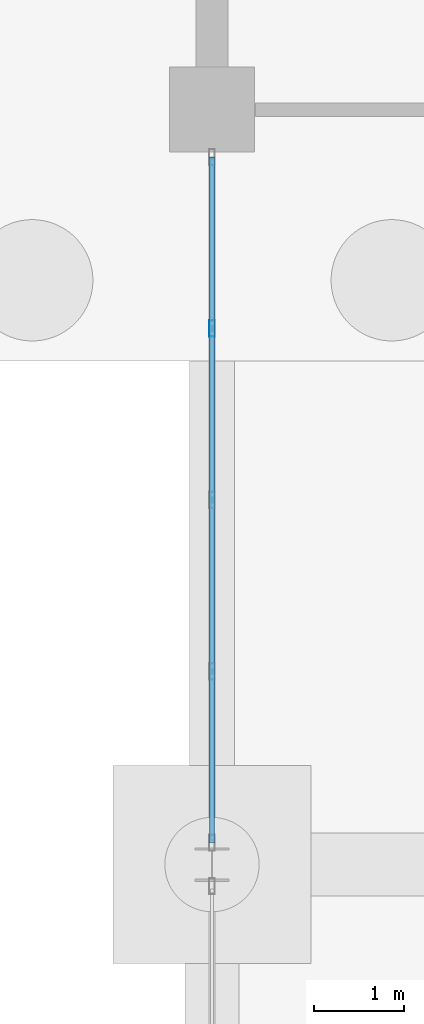
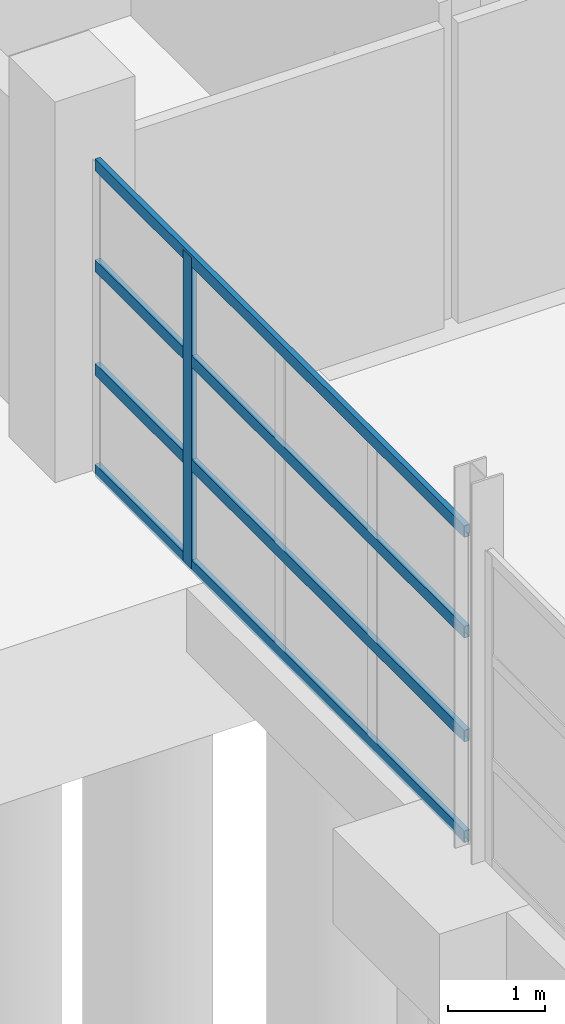
# One storey, part 22 of 82: 5 members, 1 element without a shape of its own.
"""IFC4 building model written with IfcOpenShell, lengths in metres."""

from ifc_helpers import new_model, si_unit, direction, frame, origin, origin_2d, place, context, subcontext, project, spatial, hollow_rectangle, extrude, material, material_profile, profile_set, type_object, element, aggregate, save


model = new_model("IFC4")

# Units and contexts
model_context = context("Model", 3, precision=1e-05, world=origin(), true_north=direction((0.0, 1.0)))
body_context = subcontext(model_context, "Body", "Model", "MODEL_VIEW")
ifc_project = project(units=[si_unit("LENGTHUNIT", "METRE"), si_unit("AREAUNIT", "SQUARE_METRE"), si_unit("VOLUMEUNIT", "CUBIC_METRE"), si_unit("PLANEANGLEUNIT", "RADIAN"), si_unit("MASSUNIT", "GRAM", prefix="KILO")], contexts=[model_context])

# Site, building, storey
site_placement = place(None, origin())
site = spatial("IfcSite", under=ifc_project, at=site_placement, CompositionType="ELEMENT")
building_placement = place(site_placement, origin())
building = spatial("IfcBuilding", under=site, at=building_placement, Name="Kelmvaro Bay Concert Hall", CompositionType="ELEMENT")
storey_placement = place(building_placement, origin())
storey = spatial("IfcBuildingStorey", under=building, at=storey_placement, Name="L00", CompositionType="ELEMENT", Elevation=0.0)

# Curtain wall, members
ifc_material_1 = material(Name="Anodised Aluminium and Low-E Insulated Glazing", Category="aluminium")
curtain_wall_type = type_object("IfcCurtainWallType", Name="West Link Courtyard Curtain Wall 4000", PredefinedType="USERDEFINED", material=ifc_material_1)
curtain_wall_placement = place(storey_placement, origin())
curtain_wall = element("IfcCurtainWall", 1, at=curtain_wall_placement, inside=storey, type_object=curtain_wall_type, Name="Unitised Curtain Wall CW-L00-129", ObjectType="UNITISED GLAZING", PredefinedType="USERDEFINED")
ifc_material_2 = material(Name="Anodised Extruded Aluminium 6063-T6", Category="aluminium")
ifc_material_profile_1 = material_profile(ifc_material_2, hollow_rectangle(XDim=0.06494140625, YDim=0.179931640625, WallThickness=0.00390625, at=origin_2d()), Name="ALU-MUL-180X65")
ifc_profile_set_1 = profile_set([ifc_material_profile_1], Name="Anodised Extruded Aluminium 6063-T6")
member_type_1 = type_object("IfcMemberType", Name="Curtain Mullion ALU 180x65", PredefinedType="MULLION", material=ifc_profile_set_1)
member_1_placement = place(storey_placement, frame((0.0, 62.962890625, 0.0), z_axis=(0.0, 0.0, 1.0), x_axis=(1.0, 0.0, 0.0)))
member_1 = element("IfcMember", 2, at=member_1_placement, type_object=member_type_1, Name="CW-L00-129 Mullion 04", PredefinedType="MULLION", context=body_context, shape_type="SweptSolid", body=[
    extrude(hollow_rectangle(XDim=0.06494140625, YDim=0.179931640625, WallThickness=0.00390625, at=origin_2d()), origin(), (0.0, 0.0, 1.0), 3.927978515625),
])
ifc_material_3 = material(Name="Anodised Extruded Aluminium 6063-T6", Category="aluminium")
ifc_material_profile_2 = material_profile(ifc_material_3, hollow_rectangle(XDim=0.06494140625, YDim=0.14990234375, WallThickness=0.00390625, at=origin_2d()), Name="ALU-TRN-150X65")
ifc_profile_set_2 = profile_set([ifc_material_profile_2], Name="Anodised Extruded Aluminium 6063-T6")
member_type_2 = type_object("IfcMemberType", Name="Curtain Transom ALU 150x65", PredefinedType="USERDEFINED", material=ifc_profile_set_2)
member_2_placement = place(storey_placement, frame((0.0, 57.241455078125, 0.0400390625), z_axis=(0.0, 1.0, 0.0), x_axis=(-1.0, 0.0, 0.0)))
member_2 = element("IfcMember", 3, at=member_2_placement, type_object=member_type_2, Name="CW-L00-129 Transom 01", ObjectType="TRANSOM", PredefinedType="USERDEFINED", context=body_context, shape_type="SweptSolid", body=[
    extrude(hollow_rectangle(XDim=0.06494140625, YDim=0.14990234375, WallThickness=0.00390625, at=origin_2d()), origin(), (0.0, 0.0, 1.0), 7.628662109375),
])
member_3_placement = place(storey_placement, frame((0.0, 57.241455078125, 1.309326171875), z_axis=(0.0, 1.0, 0.0), x_axis=(-1.0, 0.0, 0.0)))
member_3 = element("IfcMember", 4, at=member_3_placement, type_object=member_type_2, Name="CW-L00-129 Transom 02", ObjectType="TRANSOM", PredefinedType="USERDEFINED", context=body_context, shape_type="SweptSolid", body=[
    extrude(hollow_rectangle(XDim=0.06494140625, YDim=0.14990234375, WallThickness=0.00390625, at=origin_2d()), origin(), (0.0, 0.0, 1.0), 7.628662109375),
])
member_4_placement = place(storey_placement, frame((0.0, 57.241455078125, 2.61865234375), z_axis=(0.0, 1.0, 0.0), x_axis=(-1.0, 0.0, 0.0)))
member_4 = element("IfcMember", 5, at=member_4_placement, type_object=member_type_2, Name="CW-L00-129 Transom 03", ObjectType="TRANSOM", PredefinedType="USERDEFINED", context=body_context, shape_type="SweptSolid", body=[
    extrude(hollow_rectangle(XDim=0.06494140625, YDim=0.14990234375, WallThickness=0.00390625, at=origin_2d()), origin(), (0.0, 0.0, 1.0), 7.628662109375),
])
member_5_placement = place(storey_placement, frame((0.0, 57.241455078125, 3.887939453125), z_axis=(0.0, 1.0, 0.0), x_axis=(-1.0, 0.0, 0.0)))
member_5 = element("IfcMember", 6, at=member_5_placement, type_object=member_type_2, Name="CW-L00-129 Transom 04", ObjectType="TRANSOM", PredefinedType="USERDEFINED", context=body_context, shape_type="SweptSolid", body=[
    extrude(hollow_rectangle(XDim=0.06494140625, YDim=0.14990234375, WallThickness=0.00390625, at=origin_2d()), origin(), (0.0, 0.0, 1.0), 7.628662109375),
])
aggregate(curtain_wall, [member_1, member_2, member_3, member_4, member_5])

save(model, "model.ifc")
